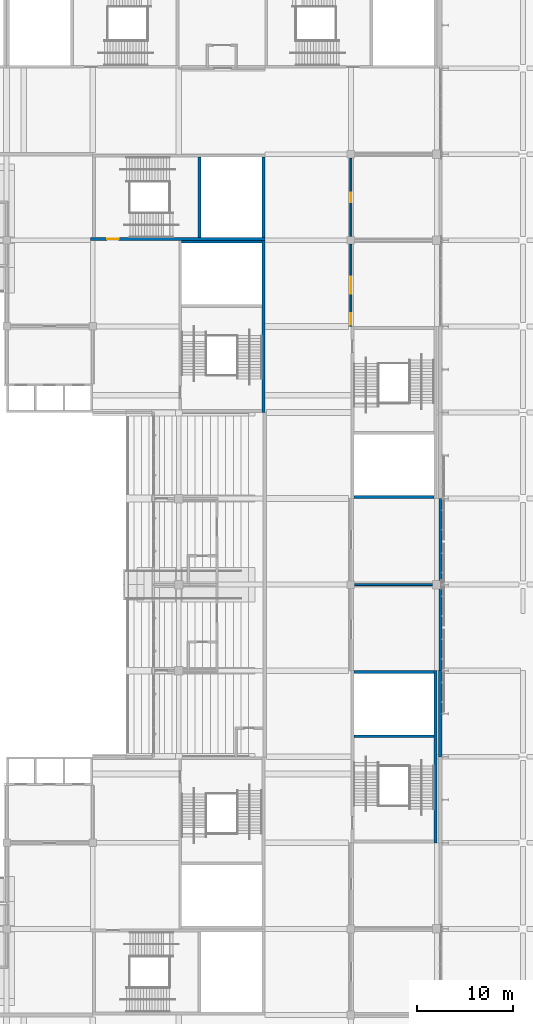
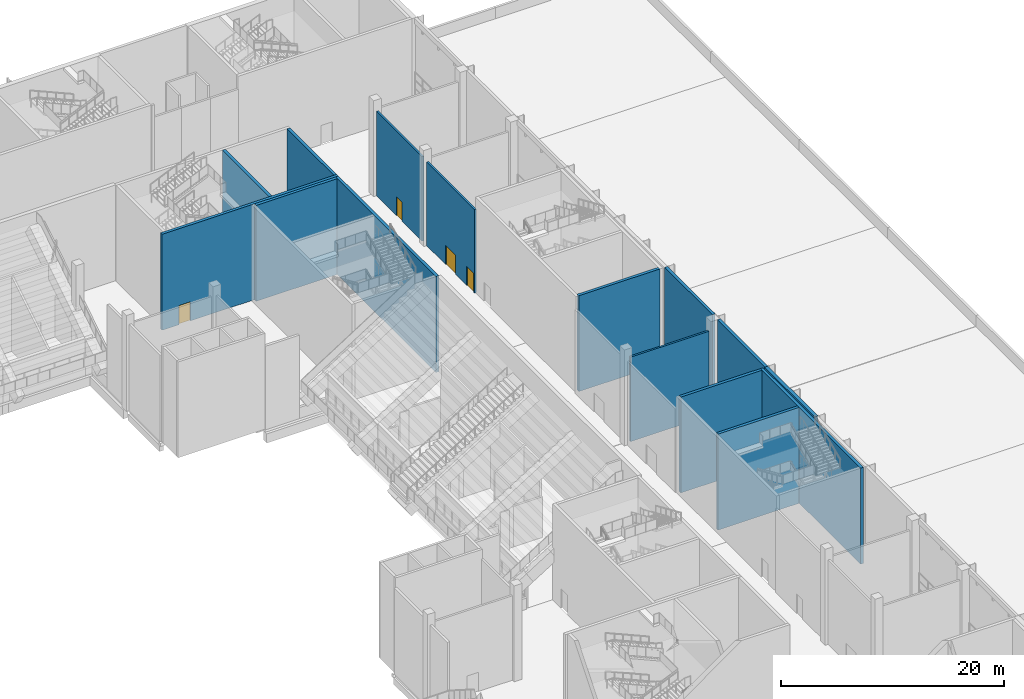
# One storey, part 91 of 182: 15 walls, 4 doors, 4 openings.
"""IFC4 building model written with IfcOpenShell, lengths in metres."""

import ifcopenshell
import ifcopenshell.guid

model = None  # the IFC model being written
_history = None  # IfcOwnerHistory: only IFC2X3 demands one
_inside = {}  # id of a spatial element -> (the spatial element, [elements in it])
_under = {}  # id of a project, library or spatial element -> (it, [spatial elements below it])
_declared = {}  # id of a project -> (the project, [libraries it declares])
_typed = {}  # id of a type object -> (the type object, [elements of that type])
_made_of = {}  # id of a material, layer set ... -> (it, [elements and type objects made of it])


def new_model(schema):
    """Start an empty IFC model of exactly this schema.

    Asked for "IFC4X3", IfcOpenShell would pick the latest addendum, in which some entities
    have other attributes; the version numbers below select the first issue.
    IFC2X3 requires an IfcOwnerHistory on every rooted entity: one is made here for all.
    """
    global model, _history
    if schema == "IFC4X3":
        model = ifcopenshell.file(schema_version=(4, 3, 0, 0))
    else:
        model = ifcopenshell.file(schema=schema)
    _inside.clear()
    _under.clear()
    _declared.clear()
    _typed.clear()
    _made_of.clear()
    _history = None
    if model.schema == "IFC2X3":
        org = make("IfcOrganization", Name="unknown")
        user = make(
            "IfcPersonAndOrganization",
            ThePerson=make("IfcPerson", FamilyName="unknown"),
            TheOrganization=org,
        )
        app = make(
            "IfcApplication",
            ApplicationDeveloper=org,
            Version="unknown",
            ApplicationFullName="unknown",
            ApplicationIdentifier="unknown",
        )
        _history = make(
            "IfcOwnerHistory",
            OwningUser=user,
            OwningApplication=app,
            ChangeAction="ADDED",
            CreationDate=0,
        )
    return model


def make(cls, **values):
    """One entity of the class cls with the attributes given. An attribute that is None is left unset."""
    return model.create_entity(
        cls, **{name: value for name, value in values.items() if value is not None}
    )


def rooted(cls, **values):
    """An entity with a GlobalId (a new one), such as an element, a storey or a relation."""
    return make(cls, GlobalId=ifcopenshell.guid.new(), OwnerHistory=_history, **values)


def si_unit(unit_type, name, prefix=None):
    """IfcSIUnit, for example si_unit("LENGTHUNIT", "METRE", prefix="MILLI")."""
    return make("IfcSIUnit", UnitType=unit_type, Prefix=prefix, Name=name)


def assignment(units):
    """IfcUnitAssignment: the units of a project."""
    return None if units is None else make("IfcUnitAssignment", Units=units)


def point(xyz):
    """IfcCartesianPoint."""
    return None if xyz is None else make("IfcCartesianPoint", Coordinates=xyz)


def direction(xyz):
    """IfcDirection."""
    return None if xyz is None else make("IfcDirection", DirectionRatios=xyz)


def frame(location, z_axis=None, x_axis=None):
    """IfcAxis2Placement3D, a coordinate frame: its origin and axes. An axis left out is left unset."""
    return make(
        "IfcAxis2Placement3D",
        Location=point(location),
        Axis=direction(z_axis),
        RefDirection=direction(x_axis),
    )


def frame_2d(location, x_axis=None):
    """IfcAxis2Placement2D, a coordinate frame in the plane: its origin and x axis."""
    return make(
        "IfcAxis2Placement2D", Location=point(location), RefDirection=direction(x_axis)
    )


def origin():
    """The frame at (0, 0, 0) with its axes left unset."""
    return frame((0.0, 0.0, 0.0))


def place(relative_to, where):
    """IfcLocalPlacement: puts the frame where relative to a parent placement (None: the world)."""
    return make(
        "IfcLocalPlacement", PlacementRelTo=relative_to, RelativePlacement=where
    )


def context(
    kind, dimensions, precision=None, world=None, true_north=None, identifier=None
):
    """IfcGeometricRepresentationContext, for example the 3D "Model" context."""
    return make(
        "IfcGeometricRepresentationContext",
        ContextIdentifier=identifier,
        ContextType=kind,
        CoordinateSpaceDimension=dimensions,
        Precision=precision,
        WorldCoordinateSystem=world,
        TrueNorth=true_north,
    )


def subcontext(parent, identifier, kind, view, scale=None):
    """IfcGeometricRepresentationSubContext, for example "Body" below "Model"."""
    return make(
        "IfcGeometricRepresentationSubContext",
        ContextIdentifier=identifier,
        ContextType=kind,
        ParentContext=parent,
        TargetScale=scale,
        TargetView=view,
    )


def project(units=None, contexts=None):
    """IfcProject with its units and contexts."""
    return rooted(
        "IfcProject",
        Name="project",
        RepresentationContexts=contexts,
        UnitsInContext=assignment(units),
    )


def spatial(cls, under=None, at=None, **own):
    """A site, building, storey or space (cls), placed at a placement, below another one or the project."""
    s = rooted(cls, ObjectPlacement=at, **own)
    if under is not None:
        _under.setdefault(under.id(), (under, []))[1].append(s)
    return s


def profile(cls, at=None, kind="AREA", **sizes):
    """A parametric profile (cls). Its sizes go by their IFC names, for example OverallWidth=200.0."""
    return make(cls, ProfileType=kind, Position=at, **sizes)


def rectangle(**sizes):
    """IfcRectangleProfileDef."""
    return profile("IfcRectangleProfileDef", **sizes)


def extrude(swept, where, along, depth):
    """IfcExtrudedAreaSolid: the profile swept, set in the frame where, extruded along a direction by depth."""
    return make(
        "IfcExtrudedAreaSolid",
        SweptArea=swept,
        Position=where,
        ExtrudedDirection=direction(along),
        Depth=depth,
    )


def shape(context_of_items, identifier, shape_type, items):
    """IfcShapeRepresentation: the items that make up one representation, for example the "Body"."""
    return make(
        "IfcShapeRepresentation",
        ContextOfItems=context_of_items,
        RepresentationIdentifier=identifier,
        RepresentationType=shape_type,
        Items=items,
    )


def material(Name=None, Category=None):
    """IfcMaterial."""
    return make("IfcMaterial", Name=Name, Category=Category)


def layer(
    of_material, thickness, ventilated=None, Name=None, Category=None, Priority=None
):
    """IfcMaterialLayer: one layer of a wall or slab, of a material (None: an air gap)."""
    return make(
        "IfcMaterialLayer",
        Material=of_material,
        LayerThickness=thickness,
        IsVentilated=ventilated,
        Name=Name,
        Category=Category,
        Priority=Priority,
    )


def layer_set(layers, Name=None):
    """IfcMaterialLayerSet."""
    return make("IfcMaterialLayerSet", MaterialLayers=layers, LayerSetName=Name)


def made_of(thing, what):
    """Note that an element or type object is made of a material, layer set ...; save() writes the relation."""
    if what is not None:
        _made_of.setdefault(what.id(), (what, []))[1].append(thing)
    return thing


def type_object(cls, material=None, **own):
    """A type object (cls), such as IfcWallType, which elements share."""
    return made_of(rooted(cls, **own), material)


def element(
    cls,
    number,
    at=None,
    inside=None,
    cuts=None,
    type_object=None,
    material=None,
    context=None,
    identifier="Body",
    shape_type=None,
    held_by="IfcProductDefinitionShape",
    body=None,
    shapes=None,
    **own,
):
    """One element of the class cls, such as IfcWall. Its Tag is "e" and its number.

    at: its placement. inside: the storey or other place that contains it. cuts: it is an
    opening in that element (IfcRelVoidsElement). A single representation is given by context,
    identifier, shape_type and body (its items); several are given by shapes. held_by: the class
    of the entity that holds the representations. save() writes the other relations.
    """
    e = rooted(cls, Tag="e%d" % number, ObjectPlacement=at, **own)
    if body is not None:
        shapes = [shape(context, identifier, shape_type, body)]
    if shapes is not None:
        e.Representation = make(held_by, Representations=shapes)
    if inside is not None:
        _inside.setdefault(inside.id(), (inside, []))[1].append(e)
    if cuts is not None:
        rooted(
            "IfcRelVoidsElement", RelatingBuildingElement=cuts, RelatedOpeningElement=e
        )
    if type_object is not None:
        _typed.setdefault(type_object.id(), (type_object, []))[1].append(e)
    return made_of(e, material)


def fill(opening, filler):
    """IfcRelFillsElement: the door or window that sits in an opening."""
    return rooted(
        "IfcRelFillsElement",
        RelatingOpeningElement=opening,
        RelatedBuildingElement=filler,
    )


def aggregate(whole, parts):
    """IfcRelAggregates: a whole, such as a stair, and the parts it consists of."""
    return rooted("IfcRelAggregates", RelatingObject=whole, RelatedObjects=parts)


def save(model, path):
    """Write the relations noted so far, then the file.

    IfcRelAggregates (storeys below a building ...), IfcRelContainedInSpatialStructure (elements
    in a storey), IfcRelDefinesByType, IfcRelAssociatesMaterial and IfcRelDeclares: one each for
    every whole, place, type object, material and project.
    """
    for whole, parts in _under.values():
        aggregate(whole, parts)
    for where, things in _inside.values():
        rooted(
            "IfcRelContainedInSpatialStructure",
            RelatedElements=things,
            RelatingStructure=where,
        )
    for kind, things in _typed.values():
        rooted("IfcRelDefinesByType", RelatedObjects=things, RelatingType=kind)
    for what, things in _made_of.values():
        rooted("IfcRelAssociatesMaterial", RelatedObjects=things, RelatingMaterial=what)
    for by, libraries in _declared.values():
        rooted("IfcRelDeclares", RelatingContext=by, RelatedDefinitions=libraries)
    model.write(path)


model = new_model("IFC4")

# Units and contexts
model_context = context("Model", 3, precision=1e-05, world=origin(), true_north=direction((0.0, 1.0)))
body_context = subcontext(model_context, "Body", "Model", "MODEL_VIEW")
ifc_project = project(units=[si_unit("LENGTHUNIT", "METRE"), si_unit("AREAUNIT", "SQUARE_METRE"), si_unit("VOLUMEUNIT", "CUBIC_METRE"), si_unit("PLANEANGLEUNIT", "RADIAN"), si_unit("MASSUNIT", "GRAM", prefix="KILO")], contexts=[model_context])

# Site, building, storey
site_placement = place(None, origin())
site = spatial("IfcSite", under=ifc_project, at=site_placement, CompositionType="ELEMENT")
building_placement = place(site_placement, origin())
building = spatial("IfcBuilding", under=site, at=building_placement, Name="Silverbay Arena", CompositionType="ELEMENT")
storey_placement = place(building_placement, frame((0.0, 0.0, 11.5)))
storey = spatial("IfcBuildingStorey", under=building, at=storey_placement, Name="L02", CompositionType="ELEMENT", Elevation=11.5)

# Walls
ifc_material_1 = material(Name="Concrete Grade C45 precast, light finish", Category="concrete")
ifc_layer_1 = layer(ifc_material_1, 0.300048828125)
ifc_layer_set_1 = layer_set([ifc_layer_1], Name="Concrete Grade C45 precast, light finish")
wall_type_1 = type_object("IfcWallType", Name="Cladded external wall 300", PredefinedType="SOLIDWALL", material=ifc_layer_set_1)
for number, where, z_axis, x_axis, name in (
    (1, (207.35009765625, 72.0, 0.0), (0.0, 0.0, 1.0), (0.0, 1.0, 0.0), "East external wall L02 bay 7"),
    (2, (207.35009765625, 81.449951171875, 0.0), (0.0, 0.0, 1.0), (0.0, 1.0, 0.0), "East external wall L02 bay 8"),
):
    element("IfcWall", number, at=place(storey_placement, frame(where, z_axis=z_axis, x_axis=x_axis)), inside=storey, type_object=wall_type_1, Name=name, PredefinedType="SOLIDWALL", context=body_context, shape_type="SweptSolid", body=[
        extrude(rectangle(XDim=8.550048828125, YDim=0.300048828125, at=frame_2d((4.27490234375, 0.0))), origin(), (0.0, 0.0, 1.0), 10.5),
    ])
ifc_material_2 = material(Name="Concrete Grade C45", Category="concrete")
ifc_layer_2 = layer(ifc_material_2, 0.300048828125)
ifc_layer_set_2 = layer_set([ifc_layer_2], Name="Concrete Grade C45")
wall_type_2 = type_object("IfcWallType", Name="Core wall RC 300 EI 120", PredefinedType="SHEAR", material=ifc_layer_set_2)
wall_1_placement = place(storey_placement, frame((206.85009765625, 54.0, 0.0), z_axis=(0.0, 0.0, 1.0), x_axis=(0.0, 1.0, 0.0)))
element("IfcWall", 3, at=wall_1_placement, inside=storey, type_object=wall_type_2, Name="Core wall ST-E1 L02 far side", PredefinedType="SHEAR", context=body_context, shape_type="SweptSolid", body=[
    extrude(rectangle(XDim=18.0, YDim=0.300048828125, at=frame_2d((9.0, 0.0))), origin(), (0.0, 0.0, 1.0), 10.5),
])
for number, where, z_axis, x_axis, name in (
    (4, (198.300048828125, 71.85009765625, 0.0), (0.0, 0.0, 1.0), (1.0, 0.0, 0.0), "Core wall ST-E1 L02 end 2"),
    (5, (198.300048828125, 65.14990234375, 0.0), (0.0, 0.0, 1.0), (1.0, 0.0, 0.0), "Core wall ST-E1 L02 stair enclosure"),
    (6, (198.300048828125, 90.14990234375, 0.0), (0.0, 0.0, 1.0), (1.0, 0.0, 0.0), "Core wall ST-E2 L02 end 2"),
):
    element("IfcWall", number, at=place(storey_placement, frame(where, z_axis=z_axis, x_axis=x_axis)), inside=storey, type_object=wall_type_2, Name=name, PredefinedType="SHEAR", context=body_context, shape_type="SweptSolid", body=[
        extrude(rectangle(XDim=8.39990234375, YDim=0.300048828125, at=frame_2d((4.199951171875, 0.0))), origin(), (0.0, 0.0, 1.0), 10.5),
    ])

# Wall, opening, door
wall_2_placement = place(storey_placement, frame((170.75, 117.14990234375, 0.0), z_axis=(0.0, 0.0, 1.0), x_axis=(1.0, 0.0, 0.0)))
wall_2 = element("IfcWall", 7, at=wall_2_placement, inside=storey, type_object=wall_type_2, Name="Core wall ST-NE1 L02 door side", PredefinedType="SHEAR", context=body_context, shape_type="SweptSolid", body=[
    extrude(rectangle(XDim=18.25, YDim=0.300048828125, at=frame_2d((9.125, 0.0))), origin(), (0.0, 0.0, 1.0), 10.5),
])
opening_1_placement = place(wall_2_placement, frame((1.75, 0.0, 0.0)))
opening_1 = element("IfcOpeningElement", 8, at=opening_1_placement, cuts=wall_2, Name="Opening L02-097", PredefinedType="OPENING", context=body_context, shape_type="SweptSolid", body=[
    extrude(rectangle(XDim=1.199951171875, YDim=2.10009765625, at=frame_2d((0.60009765625, 1.050048828125))), frame((0.0, 0.16015625, 0.0), z_axis=(0.0, -1.0, 0.0), x_axis=(1.0, 0.0, 0.0)), (0.0, 0.0, 1.0), 0.320068359375),
])
ifc_material_3 = material(Name="Steel fire door", Category="steel")
door_type_1 = type_object("IfcDoorType", Name="Stair door 1200 x 2100 fire door", OperationType="SINGLE_SWING_LEFT", PredefinedType="DOOR", material=ifc_material_3)
door_1_placement = place(opening_1_placement, origin())
door_1 = element("IfcDoor", 9, at=door_1_placement, inside=storey, type_object=door_type_1, Name="Stair door ST-NE1 L02", OperationType="SINGLE_SWING_LEFT", OverallHeight=2.10009765625, OverallWidth=1.199951171875, PredefinedType="DOOR", context=body_context, shape_type="SweptSolid", body=[
    extrude(rectangle(XDim=1.199951171875, YDim=2.10009765625, at=frame_2d((0.60009765625, 1.050048828125))), frame((0.0, 0.02490234375, 0.0), z_axis=(0.0, -1.0, 0.0), x_axis=(1.0, 0.0, 0.0)), (0.0, 0.0, 1.0), 0.050048828125),
])
fill(opening_1, door_1)

# Walls
for number, where, z_axis, x_axis, name in (
    (10, (188.85009765625, 117.300048828125, 0.0), (0.0, 0.0, 1.0), (0.0, 1.0, 0.0), "Core wall ST-NE1 L02 end 2"),
    (11, (182.14990234375, 117.300048828125, 0.0), (0.0, 0.0, 1.0), (0.0, 1.0, 0.0), "Core wall ST-NE1 L02 stair enclosure"),
):
    element("IfcWall", number, at=place(storey_placement, frame(where, z_axis=z_axis, x_axis=x_axis)), inside=storey, type_object=wall_type_2, Name=name, PredefinedType="SHEAR", context=body_context, shape_type="SweptSolid", body=[
        extrude(rectangle(XDim=8.39990234375, YDim=0.300048828125, at=frame_2d((4.199951171875, 0.0))), origin(), (0.0, 0.0, 1.0), 10.5),
    ])
wall_3_placement = place(storey_placement, frame((188.85009765625, 99.0, 0.0), z_axis=(0.0, 0.0, 1.0), x_axis=(0.0, 1.0, 0.0)))
element("IfcWall", 12, at=wall_3_placement, inside=storey, type_object=wall_type_2, Name="Core wall ST-NE2 L02 far side", PredefinedType="SHEAR", context=body_context, shape_type="SweptSolid", body=[
    extrude(rectangle(XDim=18.0, YDim=0.300048828125, at=frame_2d((9.0, 0.0))), origin(), (0.0, 0.0, 1.0), 10.5),
])
wall_4_placement = place(storey_placement, frame((180.300048828125, 116.85009765625, 0.0), z_axis=(0.0, 0.0, 1.0), x_axis=(1.0, 0.0, 0.0)))
element("IfcWall", 13, at=wall_4_placement, inside=storey, type_object=wall_type_2, Name="Core wall ST-NE2 L02 end 2", PredefinedType="SHEAR", context=body_context, shape_type="SweptSolid", body=[
    extrude(rectangle(XDim=8.39990234375, YDim=0.300048828125, at=frame_2d((4.199951171875, 0.0))), origin(), (0.0, 0.0, 1.0), 10.5),
])

# Wall, openings, doors
ifc_material_4 = material(Name="Masonry blockwork partition", Category="masonry")
ifc_layer_3 = layer(ifc_material_4, 0.199951171875)
ifc_layer_set_3 = layer_set([ifc_layer_3], Name="Masonry blockwork partition")
wall_type_3 = type_object("IfcWallType", Name="Partition 200 EI 120", PredefinedType="PARTITIONING", material=ifc_layer_set_3)
wall_5_placement = place(storey_placement, frame((198.0, 108.0, 0.0), z_axis=(0.0, 0.0, 1.0), x_axis=(0.0, 1.0, 0.0)))
wall_5 = element("IfcWall", 14, at=wall_5_placement, inside=storey, type_object=wall_type_3, Name="Partition wall", PredefinedType="PARTITIONING", context=body_context, shape_type="SweptSolid", body=[
    extrude(rectangle(XDim=8.60009765625, YDim=0.199951171875, at=frame_2d((4.300048828125, 0.0))), origin(), (0.0, 0.0, 1.0), 9.14990234375),
])
opening_2_placement = place(wall_5_placement, frame((3.39990234375, 0.0, 0.0)))
opening_2 = element("IfcOpeningElement", 15, at=opening_2_placement, cuts=wall_5, Name="Opening L02-017", PredefinedType="OPENING", context=body_context, shape_type="SweptSolid", body=[
    extrude(rectangle(XDim=1.800048828125, YDim=2.10009765625, at=frame_2d((0.89990234375, 1.050048828125))), frame((0.0, 0.10986328125, 0.0), z_axis=(0.0, -1.0, 0.0), x_axis=(1.0, 0.0, 0.0)), (0.0, 0.0, 1.0), 0.219970703125),
])
opening_3_placement = place(wall_5_placement, frame((0.199951171875, 0.0, 0.0)))
opening_3 = element("IfcOpeningElement", 16, at=opening_3_placement, cuts=wall_5, Name="Opening L02-070", PredefinedType="OPENING", context=body_context, shape_type="SweptSolid", body=[
    extrude(rectangle(XDim=1.199951171875, YDim=2.10009765625, at=frame_2d((0.60009765625, 1.050048828125))), frame((0.0, 0.10986328125, 0.0), z_axis=(0.0, -1.0, 0.0), x_axis=(1.0, 0.0, 0.0)), (0.0, 0.0, 1.0), 0.219970703125),
])
ifc_material_5 = material(Name="Steel faced timber", Category="steel")
door_type_2 = type_object("IfcDoorType", Name="Double leaf door 1200 x 2100 FD120", OperationType="DOUBLE_DOOR_DOUBLE_SWING", PredefinedType="DOOR", material=ifc_material_5)
door_2_placement = place(opening_3_placement, frame((1.199951171875, 0.0, 0.0), z_axis=(0.0, 0.0, 1.0), x_axis=(-1.0, 0.0, 0.0)))
door_2 = element("IfcDoor", 17, at=door_2_placement, inside=storey, type_object=door_type_2, Name="Door L02-070", OperationType="DOUBLE_DOOR_DOUBLE_SWING", OverallHeight=2.10009765625, OverallWidth=1.199951171875, PredefinedType="DOOR", context=body_context, shape_type="SweptSolid", body=[
    extrude(rectangle(XDim=1.199951171875, YDim=2.10009765625, at=frame_2d((0.60009765625, 1.050048828125))), frame((0.0, 0.02490234375, 0.0), z_axis=(0.0, -1.0, 0.0), x_axis=(1.0, 0.0, 0.0)), (0.0, 0.0, 1.0), 0.050048828125),
])
fill(opening_3, door_2)
ifc_material_6 = material(Name="Steel faced timber", Category="steel")
door_type_3 = type_object("IfcDoorType", Name="Double leaf door 1800 x 2100 FD120", OperationType="DOUBLE_DOOR_DOUBLE_SWING", PredefinedType="DOOR", material=ifc_material_6)
door_3_placement = place(opening_2_placement, frame((1.800048828125, 0.0, 0.0), z_axis=(0.0, 0.0, 1.0), x_axis=(-1.0, 0.0, 0.0)))
door_3 = element("IfcDoor", 18, at=door_3_placement, inside=storey, type_object=door_type_3, Name="Door L02-017", OperationType="DOUBLE_DOOR_DOUBLE_SWING", OverallHeight=2.10009765625, OverallWidth=1.800048828125, PredefinedType="DOOR", context=body_context, shape_type="SweptSolid", body=[
    extrude(rectangle(XDim=1.800048828125, YDim=2.10009765625, at=frame_2d((0.89990234375, 1.050048828125))), frame((0.0, 0.02490234375, 0.0), z_axis=(0.0, -1.0, 0.0), x_axis=(1.0, 0.0, 0.0)), (0.0, 0.0, 1.0), 0.050048828125),
])
fill(opening_2, door_3)

# Wall, opening, door
wall_6_placement = place(storey_placement, frame((198.0, 117.39990234375, 0.0), z_axis=(0.0, 0.0, 1.0), x_axis=(0.0, 1.0, 0.0)))
wall_6 = element("IfcWall", 19, at=wall_6_placement, inside=storey, type_object=wall_type_3, Name="Partition wall", PredefinedType="PARTITIONING", context=body_context, shape_type="SweptSolid", body=[
    extrude(rectangle(XDim=8.2001953125, YDim=0.199951171875, at=frame_2d((4.10009765625, 0.0))), origin(), (0.0, 0.0, 1.0), 9.25),
])
opening_4_placement = place(wall_6_placement, frame((3.60009765625, 0.0, 0.0)))
opening_4 = element("IfcOpeningElement", 20, at=opening_4_placement, cuts=wall_6, Name="Opening L02-018", PredefinedType="OPENING", context=body_context, shape_type="SweptSolid", body=[
    extrude(rectangle(XDim=1.0, YDim=2.10009765625, at=frame_2d((0.5, 1.050048828125))), frame((0.0, 0.10986328125, 0.0), z_axis=(0.0, -1.0, 0.0), x_axis=(1.0, 0.0, 0.0)), (0.0, 0.0, 1.0), 0.219970703125),
])
ifc_material_7 = material(Name="Steel faced timber", Category="steel")
door_type_4 = type_object("IfcDoorType", Name="Single leaf door 1000 x 2100 FD120", OperationType="SINGLE_SWING_LEFT", PredefinedType="DOOR", material=ifc_material_7)
door_4_placement = place(opening_4_placement, frame((1.0, 0.0, 0.0), z_axis=(0.0, 0.0, 1.0), x_axis=(-1.0, 0.0, 0.0)))
door_4 = element("IfcDoor", 21, at=door_4_placement, inside=storey, type_object=door_type_4, Name="Door L02-018", OperationType="SINGLE_SWING_LEFT", OverallHeight=2.10009765625, OverallWidth=1.0, PredefinedType="DOOR", context=body_context, shape_type="SweptSolid", body=[
    extrude(rectangle(XDim=1.0, YDim=2.10009765625, at=frame_2d((0.5, 1.050048828125))), frame((0.0, 0.02490234375, 0.0), z_axis=(0.0, -1.0, 0.0), x_axis=(1.0, 0.0, 0.0)), (0.0, 0.0, 1.0), 0.050048828125),
])
fill(opening_4, door_4)

# Walls
ifc_material_8 = material(Name="Gypsum board partition on steel studs", Category="steel")
ifc_layer_4 = layer(ifc_material_8, 0.199951171875)
ifc_layer_set_4 = layer_set([ifc_layer_4], Name="Gypsum board partition on steel studs")
wall_type_4 = type_object("IfcWallType", Name="Partition 200 EI 60", PredefinedType="PARTITIONING", material=ifc_layer_set_4)
wall_7_placement = place(storey_placement, frame((198.39990234375, 81.0, 0.0), z_axis=(0.0, 0.0, 1.0), x_axis=(1.0, 0.0, 0.0)))
element("IfcWall", 22, at=wall_7_placement, inside=storey, type_object=wall_type_4, Name="Partition wall", PredefinedType="PARTITIONING", context=body_context, shape_type="SweptSolid", body=[
    extrude(rectangle(XDim=8.150146484375, YDim=0.199951171875, at=frame_2d((4.0751953125, 0.0))), origin(), (0.0, 0.0, 1.0), 9.25),
])
ifc_material_9 = material(Name="Concrete Grade C45", Category="concrete")
ifc_layer_5 = layer(ifc_material_9, 0.35009765625)
ifc_layer_set_5 = layer_set([ifc_layer_5], Name="Concrete Grade C45")
wall_type_5 = type_object("IfcWallType", Name="Stair core facade wall 350", PredefinedType="SOLIDWALL", material=ifc_layer_set_5)
wall_8_placement = place(storey_placement, frame((207.324951171875, 63.0, 0.0), z_axis=(0.0, 0.0, 1.0), x_axis=(0.0, 1.0, 0.0)))
element("IfcWall", 23, at=wall_8_placement, inside=storey, type_object=wall_type_5, Name="East external wall L02 bay 6", PredefinedType="SOLIDWALL", context=body_context, shape_type="SweptSolid", body=[
    extrude(rectangle(XDim=9.0, YDim=0.35009765625, at=frame_2d((4.5, 0.0))), origin(), (0.0, 0.0, 1.0), 10.5),
])

save(model, "model.ifc")
